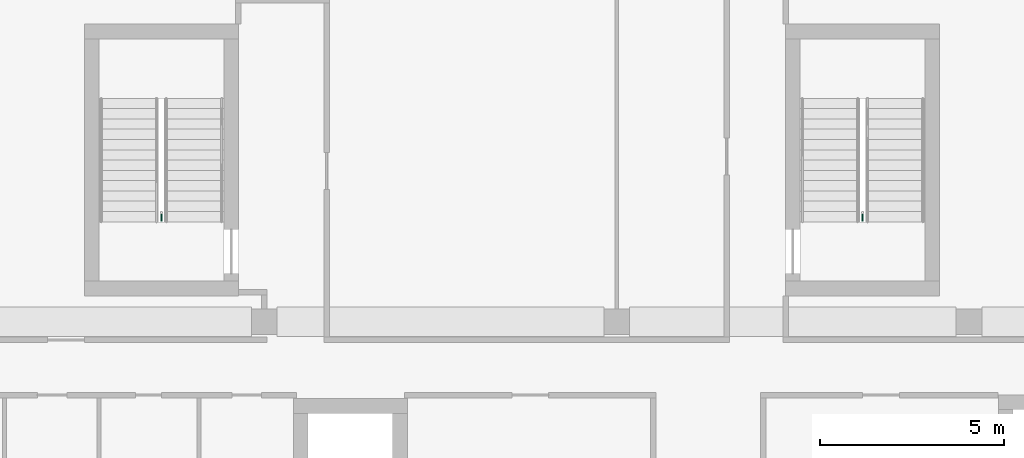
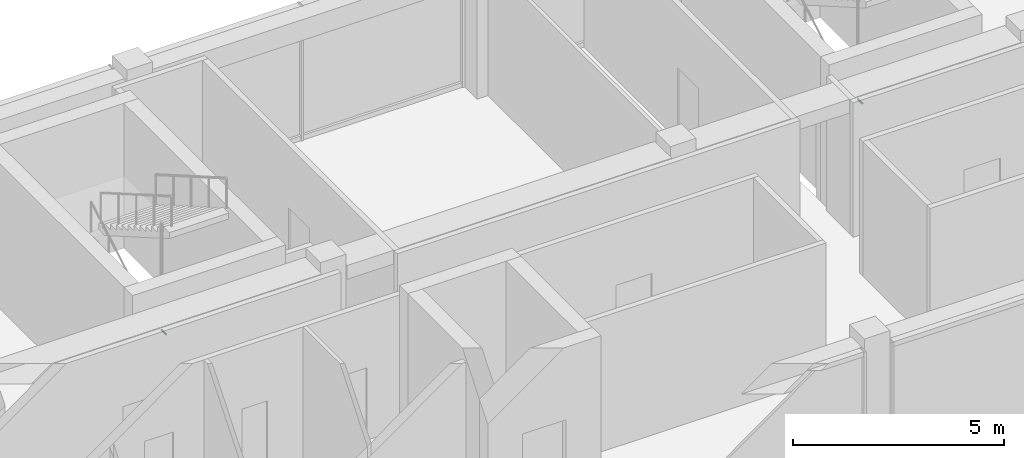
# One storey, part 27 of 27: 2 pipe fittings.
"""IFC4 building model written with IfcOpenShell, lengths in metres."""

from ifc_helpers import new_model, si_unit, direction, frame, origin, origin_2d, place, context, subcontext, project, spatial, circle, extrude, element, save


model = new_model("IFC4")

# Units and contexts
model_context = context("Model", 3, precision=1e-05, world=origin(), true_north=direction((0.0, 1.0)))
body_context = subcontext(model_context, "Body", "Model", "MODEL_VIEW")
ifc_project = project(units=[si_unit("LENGTHUNIT", "METRE"), si_unit("AREAUNIT", "SQUARE_METRE"), si_unit("VOLUMEUNIT", "CUBIC_METRE"), si_unit("PLANEANGLEUNIT", "RADIAN"), si_unit("MASSUNIT", "GRAM", prefix="KILO")], contexts=[model_context])

# Site, building, storey
site_placement = place(None, origin())
site = spatial("IfcSite", under=ifc_project, at=site_placement, CompositionType="ELEMENT")
building_placement = place(site_placement, origin())
building = spatial("IfcBuilding", under=site, at=building_placement, Name="Nzadi Deep Aquarium and Research Tower", CompositionType="ELEMENT")
storey_placement = place(building_placement, frame((0.0, 0.0, 69.699951171875)))
storey = spatial("IfcBuildingStorey", under=building, at=storey_placement, Name="L14", CompositionType="ELEMENT", Elevation=69.699951171875)

# Pipe fittings
for number, where, z_axis, x_axis, name in (
    (1, (6.800048828125, 39.77001953125, 1.10009765625), (0.0, -1.0, 0.0), (1.0, 0.0, 0.0), "Dry riser outlet ST-Z1-NW L14"),
    (2, (25.89990234375, 39.77001953125, 1.10009765625), (0.0, -1.0, 0.0), (1.0, 0.0, 0.0), "Dry riser outlet ST-Z1-NE L14"),
):
    element("IfcPipeFitting", number, at=place(storey_placement, frame(where, z_axis=z_axis, x_axis=x_axis)), inside=storey, Name=name, PredefinedType="EXIT", context=body_context, shape_type="SweptSolid", body=[
        extrude(circle(Radius=0.0224609375, at=origin_2d()), origin(), (0.0, 0.0, 1.0), 0.22998046875),
    ])

save(model, "model.ifc")
